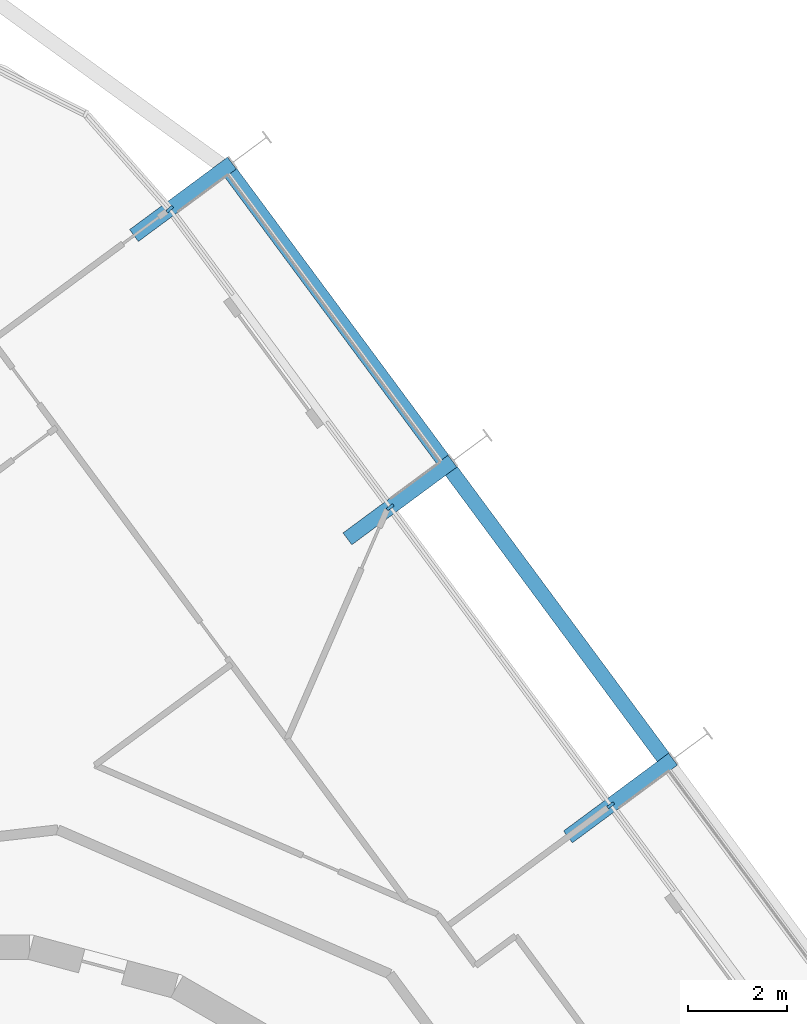
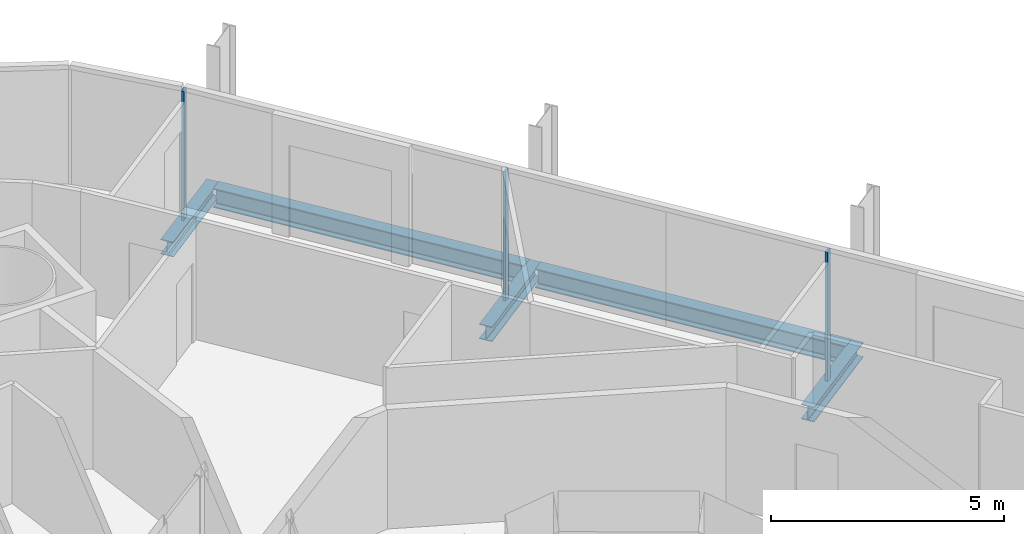
# One storey, part 11 of 24: 5 beams, 3 members, 2 elements without a shape of their own.
"""IFC4 building model written with IfcOpenShell, lengths in metres."""

from ifc_helpers import new_model, si_unit, direction, frame, origin, origin_2d, place, context, subcontext, project, spatial, rectangle, i_section, extrude, material, layer, layer_set, material_profile, profile_set, type_object, element, aggregate, save


model = new_model("IFC4")

# Units and contexts
model_context = context("Model", 3, precision=1e-05, world=origin(), true_north=direction((0.0, 1.0)))
body_context = subcontext(model_context, "Body", "Model", "MODEL_VIEW")
ifc_project = project(units=[si_unit("LENGTHUNIT", "METRE"), si_unit("AREAUNIT", "SQUARE_METRE"), si_unit("VOLUMEUNIT", "CUBIC_METRE"), si_unit("PLANEANGLEUNIT", "RADIAN"), si_unit("MASSUNIT", "GRAM", prefix="KILO")], contexts=[model_context])

# Site, building, storey
site_placement = place(None, origin())
site = spatial("IfcSite", under=ifc_project, at=site_placement, CompositionType="ELEMENT")
building_placement = place(site_placement, origin())
building = spatial("IfcBuilding", under=site, at=building_placement, Name="Spindle Arch Residences", CompositionType="ELEMENT")
storey_placement = place(building_placement, frame((0.0, 0.0, 87.199951171875)))
storey = spatial("IfcBuildingStorey", under=building, at=storey_placement, Name="L20", CompositionType="ELEMENT", Elevation=87.199951171875)

# Curtain wall, members
ifc_material_1 = material(Name="Aluminium bronze unitised frame with tinted glass", Category="aluminium")
ifc_layer_1 = layer(ifc_material_1, 0.159912109375)
ifc_layer_set_1 = layer_set([ifc_layer_1], Name="CW-C typical residential unitised wall")
curtain_wall_type_1 = type_object("IfcCurtainWallType", Name="CW-C typical residential unitised wall", PredefinedType="NOTDEFINED", material=ifc_layer_set_1)
curtain_wall_1_placement = place(storey_placement, origin())
curtain_wall_1 = element("IfcCurtainWall", 1, at=curtain_wall_1_placement, inside=storey, type_object=curtain_wall_type_1, Name="CW-C L20 run 2", PredefinedType="NOTDEFINED")
ifc_material_2 = material(Name="Aluminium bronze anodised mullion", Category="aluminium")
ifc_material_profile_1 = material_profile(ifc_material_2, rectangle(XDim=0.159912109375, YDim=0.06005859375, at=origin_2d()), Name="MU 60x160")
ifc_profile_set_1 = profile_set([ifc_material_profile_1], Name="Aluminium bronze anodised mullion")
member_type = type_object("IfcMemberType", Name="Bronze mullion 60x160", PredefinedType="MULLION", material=ifc_profile_set_1)
member_1_placement = place(storey_placement, frame((13.308349609375, 14.5244140625, -0.3798828125), z_axis=(0.0, 0.0, 1.0), x_axis=(-0.803856860617, -0.594822786751, 0.0)))
member_1 = element("IfcMember", 2, at=member_1_placement, type_object=member_type, Name="CW-C mullion 08", PredefinedType="MULLION", context=body_context, shape_type="SweptSolid", body=[
    extrude(rectangle(XDim=0.159912109375, YDim=0.06005859375, at=origin_2d()), origin(), (0.0, 0.0, 1.0), 3.3798828125),
])
member_2_placement = place(storey_placement, frame((8.8359375, 20.568603515625, -0.3798828125), z_axis=(0.0, 0.0, 1.0), x_axis=(-0.803856860617, -0.594822786751, 0.0)))
member_2 = element("IfcMember", 3, at=member_2_placement, type_object=member_type, Name="CW-C mullion 09", PredefinedType="MULLION", context=body_context, shape_type="SweptSolid", body=[
    extrude(rectangle(XDim=0.159912109375, YDim=0.06005859375, at=origin_2d()), origin(), (0.0, 0.0, 1.0), 3.3798828125),
])
aggregate(curtain_wall_1, [member_1, member_2])

# Curtain wall, member
ifc_material_3 = material(Name="Aluminium bronze unitised frame with tinted glass", Category="aluminium")
ifc_layer_2 = layer(ifc_material_3, 0.159912109375)
ifc_layer_set_2 = layer_set([ifc_layer_2], Name="CW-D corner wall on the fillet arcs")
curtain_wall_type_2 = type_object("IfcCurtainWallType", Name="CW-D corner wall on the fillet arcs", PredefinedType="NOTDEFINED", material=ifc_layer_set_2)
curtain_wall_2_placement = place(storey_placement, origin())
curtain_wall_2 = element("IfcCurtainWall", 4, at=curtain_wall_2_placement, inside=storey, type_object=curtain_wall_type_2, Name="CW-D L20 run 3", PredefinedType="NOTDEFINED")
member_3_placement = place(storey_placement, frame((4.36376953125, 26.612548828125, -0.3798828125), z_axis=(0.0, 0.0, 1.0), x_axis=(-0.750646632877, -0.660703891733, 0.0)))
member_3 = element("IfcMember", 5, at=member_3_placement, type_object=member_type, Name="CW-D mullion 00", PredefinedType="MULLION", context=body_context, shape_type="SweptSolid", body=[
    extrude(rectangle(XDim=0.159912109375, YDim=0.06005859375, at=origin_2d()), origin(), (0.0, 0.0, 1.0), 3.3798828125),
])
aggregate(curtain_wall_2, [member_3])

# Beams
ifc_material_4 = material(Name="Steel S460ML, intumescent coating R 120", Category="steel")
ifc_material_profile_2 = material_profile(ifc_material_4, i_section(OverallWidth=0.300048828125, OverallDepth=0.5, WebThickness=0.014404296875, FlangeThickness=0.028076171875, FilletRadius=0.027099609375, at=origin_2d()), Name="HEB 500")
ifc_profile_set_2 = profile_set([ifc_material_profile_2], Name="Steel S460ML, intumescent coating R 120")
beam_type_1 = type_object("IfcBeamType", Name="Exoskeleton edge beam HEB 500", PredefinedType="BEAM", material=ifc_profile_set_2)
beam_1_placement = place(storey_placement, frame((14.383056640625, 15.481201171875, -0.6298828125), z_axis=(-0.594826923516, 0.803853799556, 0.0), x_axis=(-0.803853799556, -0.594826923516, 0.0)))
element("IfcBeam", 6, at=beam_1_placement, inside=storey, type_object=beam_type_1, Name="Exoskeleton edge beam 9", PredefinedType="BEAM", context=body_context, shape_type="SweptSolid", body=[
    extrude(i_section(OverallWidth=0.300048828125, OverallDepth=0.5, WebThickness=0.014404296875, FlangeThickness=0.028076171875, FilletRadius=0.027099609375, at=origin_2d()), origin(), (0.0, 0.0, 1.0), 7.259033203125),
])
beam_2_placement = place(storey_placement, frame((9.91064453125, 21.525390625, -0.6298828125), z_axis=(-0.594821272041, 0.803857981441, 0.0), x_axis=(-0.803857981441, -0.594821272041, 0.0)))
element("IfcBeam", 7, at=beam_2_placement, inside=storey, type_object=beam_type_1, Name="Exoskeleton edge beam 10", PredefinedType="BEAM", context=body_context, shape_type="SweptSolid", body=[
    extrude(i_section(OverallWidth=0.300048828125, OverallDepth=0.5, WebThickness=0.014404296875, FlangeThickness=0.028076171875, FilletRadius=0.027099609375, at=origin_2d()), origin(), (0.0, 0.0, 1.0), 7.2587890625),
])
ifc_material_5 = material(Name="Steel S460ML, intumescent coating R 120", Category="steel")
ifc_material_profile_3 = material_profile(ifc_material_5, i_section(OverallWidth=0.300048828125, OverallDepth=0.389892578125, WebThickness=0.010986328125, FlangeThickness=0.01904296875, FilletRadius=0.027099609375, at=origin_2d()), Name="HEA 400")
ifc_profile_set_3 = profile_set([ifc_material_profile_3], Name="Steel S460ML, intumescent coating R 120")
beam_type_2 = type_object("IfcBeamType", Name="Floor outrigger HEA 400", PredefinedType="BEAM", material=ifc_profile_set_3)
for number, where, z_axis, x_axis, name in (
    (8, (14.570556640625, 15.458251953125, -0.574951171875), (-0.803896519326, -0.594769187345, 0.0), (0.594769187345, -0.803896519326, 0.0), "Floor outrigger 9"),
    (9, (10.09814453125, 21.502197265625, -0.574951171875), (-0.803896519326, -0.594769187345, 0.0), (0.594769187345, -0.803896519326, 0.0), "Floor outrigger 10"),
):
    element("IfcBeam", number, at=place(storey_placement, frame(where, z_axis=z_axis, x_axis=x_axis)), inside=storey, type_object=beam_type_2, Name=name, PredefinedType="BEAM", context=body_context, shape_type="SweptSolid", body=[
        extrude(i_section(OverallWidth=0.300048828125, OverallDepth=0.389892578125, WebThickness=0.010986328125, FlangeThickness=0.01904296875, FilletRadius=0.027099609375, at=origin_2d()), origin(), (0.0, 0.0, 1.0), 2.650146484375),
    ])
beam_3_placement = place(storey_placement, frame((5.625732421875, 27.54638671875, -0.574951171875), z_axis=(-0.80387213449, -0.594802144743, 0.0), x_axis=(0.594802144743, -0.80387213449, 0.0)))
element("IfcBeam", 10, at=beam_3_placement, inside=storey, type_object=beam_type_2, Name="Floor outrigger 11", PredefinedType="BEAM", context=body_context, shape_type="SweptSolid", body=[
    extrude(i_section(OverallWidth=0.300048828125, OverallDepth=0.389892578125, WebThickness=0.010986328125, FlangeThickness=0.01904296875, FilletRadius=0.027099609375, at=origin_2d()), origin(), (0.0, 0.0, 1.0), 2.470947265625),
])

save(model, "model.ifc")
